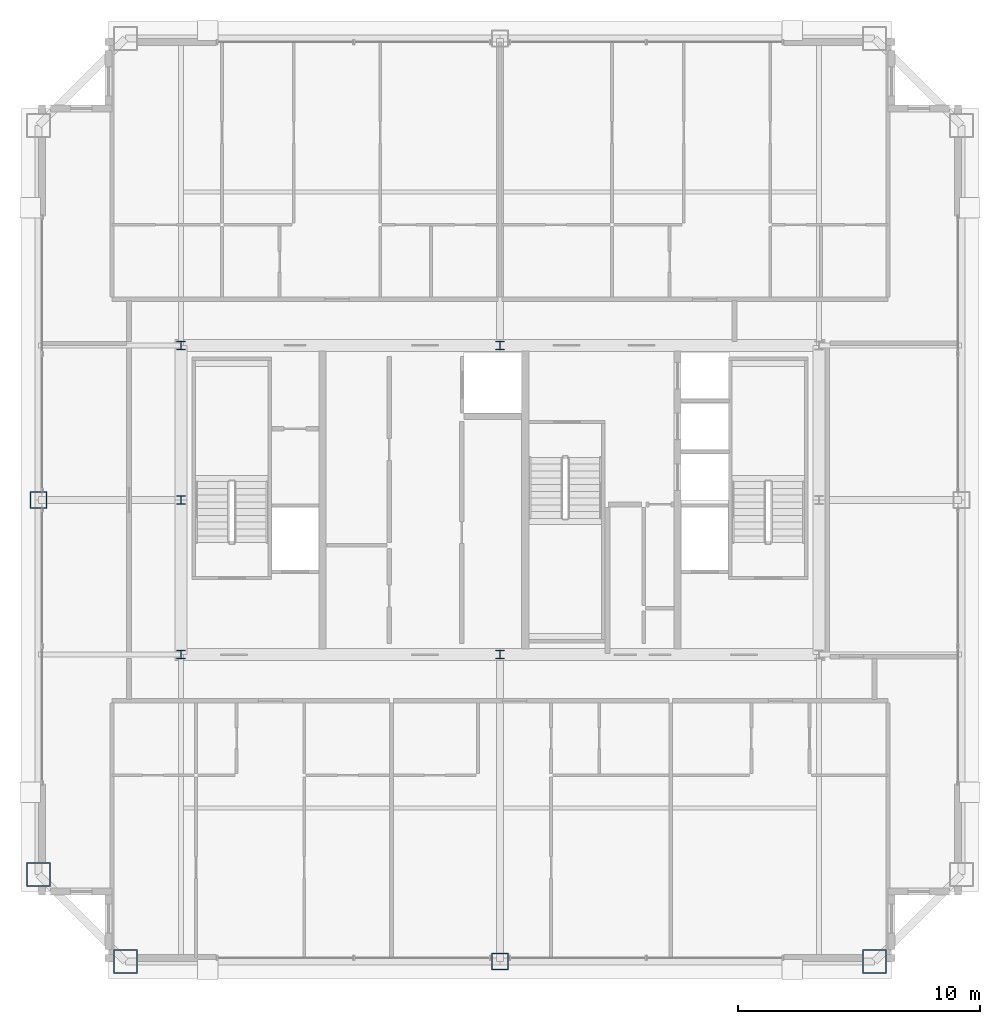
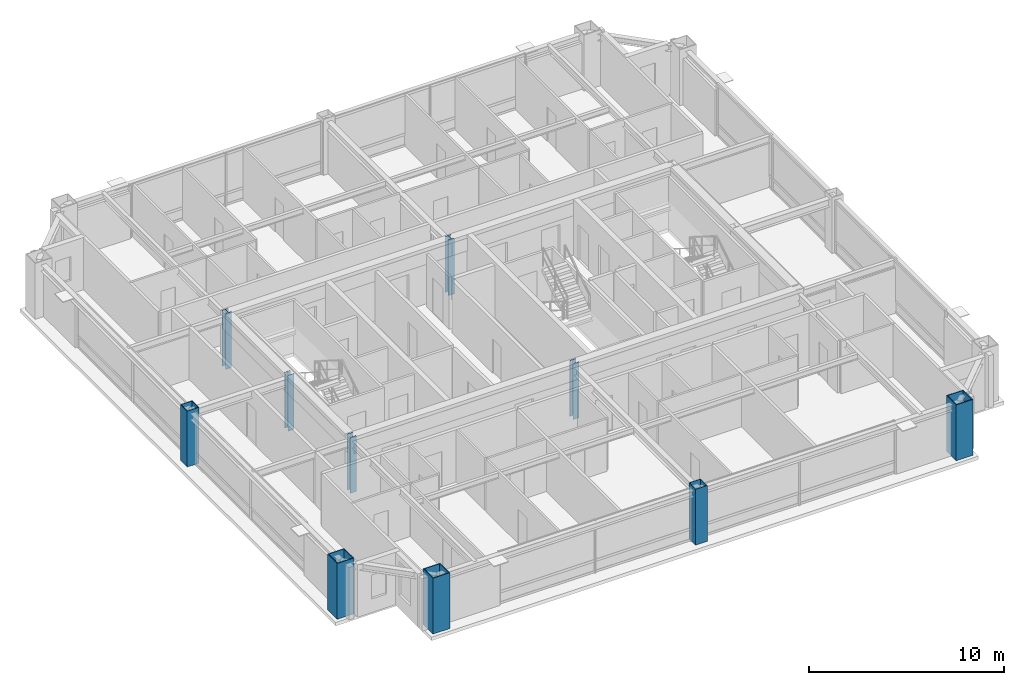
# One storey, part 1 of 35: 10 columns.
"""IFC4 building model written with IfcOpenShell, lengths in metres."""

import ifcopenshell
import ifcopenshell.guid

model = None  # the IFC model being written
_history = None  # IfcOwnerHistory: only IFC2X3 demands one
_inside = {}  # id of a spatial element -> (the spatial element, [elements in it])
_under = {}  # id of a project, library or spatial element -> (it, [spatial elements below it])
_declared = {}  # id of a project -> (the project, [libraries it declares])
_typed = {}  # id of a type object -> (the type object, [elements of that type])
_made_of = {}  # id of a material, layer set ... -> (it, [elements and type objects made of it])


def new_model(schema):
    """Start an empty IFC model of exactly this schema.

    Asked for "IFC4X3", IfcOpenShell would pick the latest addendum, in which some entities
    have other attributes; the version numbers below select the first issue.
    IFC2X3 requires an IfcOwnerHistory on every rooted entity: one is made here for all.
    """
    global model, _history
    if schema == "IFC4X3":
        model = ifcopenshell.file(schema_version=(4, 3, 0, 0))
    else:
        model = ifcopenshell.file(schema=schema)
    _inside.clear()
    _under.clear()
    _declared.clear()
    _typed.clear()
    _made_of.clear()
    _history = None
    if model.schema == "IFC2X3":
        org = make("IfcOrganization", Name="unknown")
        user = make(
            "IfcPersonAndOrganization",
            ThePerson=make("IfcPerson", FamilyName="unknown"),
            TheOrganization=org,
        )
        app = make(
            "IfcApplication",
            ApplicationDeveloper=org,
            Version="unknown",
            ApplicationFullName="unknown",
            ApplicationIdentifier="unknown",
        )
        _history = make(
            "IfcOwnerHistory",
            OwningUser=user,
            OwningApplication=app,
            ChangeAction="ADDED",
            CreationDate=0,
        )
    return model


def make(cls, **values):
    """One entity of the class cls with the attributes given. An attribute that is None is left unset."""
    return model.create_entity(
        cls, **{name: value for name, value in values.items() if value is not None}
    )


def rooted(cls, **values):
    """An entity with a GlobalId (a new one), such as an element, a storey or a relation."""
    return make(cls, GlobalId=ifcopenshell.guid.new(), OwnerHistory=_history, **values)


def si_unit(unit_type, name, prefix=None):
    """IfcSIUnit, for example si_unit("LENGTHUNIT", "METRE", prefix="MILLI")."""
    return make("IfcSIUnit", UnitType=unit_type, Prefix=prefix, Name=name)


def assignment(units):
    """IfcUnitAssignment: the units of a project."""
    return None if units is None else make("IfcUnitAssignment", Units=units)


def point(xyz):
    """IfcCartesianPoint."""
    return None if xyz is None else make("IfcCartesianPoint", Coordinates=xyz)


def direction(xyz):
    """IfcDirection."""
    return None if xyz is None else make("IfcDirection", DirectionRatios=xyz)


def frame(location, z_axis=None, x_axis=None):
    """IfcAxis2Placement3D, a coordinate frame: its origin and axes. An axis left out is left unset."""
    return make(
        "IfcAxis2Placement3D",
        Location=point(location),
        Axis=direction(z_axis),
        RefDirection=direction(x_axis),
    )


def frame_2d(location, x_axis=None):
    """IfcAxis2Placement2D, a coordinate frame in the plane: its origin and x axis."""
    return make(
        "IfcAxis2Placement2D", Location=point(location), RefDirection=direction(x_axis)
    )


def origin():
    """The frame at (0, 0, 0) with its axes left unset."""
    return frame((0.0, 0.0, 0.0))


def origin_2d():
    """The frame at (0, 0) in the plane with its x axis left unset."""
    return frame_2d((0.0, 0.0))


def place(relative_to, where):
    """IfcLocalPlacement: puts the frame where relative to a parent placement (None: the world)."""
    return make(
        "IfcLocalPlacement", PlacementRelTo=relative_to, RelativePlacement=where
    )


def context(
    kind, dimensions, precision=None, world=None, true_north=None, identifier=None
):
    """IfcGeometricRepresentationContext, for example the 3D "Model" context."""
    return make(
        "IfcGeometricRepresentationContext",
        ContextIdentifier=identifier,
        ContextType=kind,
        CoordinateSpaceDimension=dimensions,
        Precision=precision,
        WorldCoordinateSystem=world,
        TrueNorth=true_north,
    )


def subcontext(parent, identifier, kind, view, scale=None):
    """IfcGeometricRepresentationSubContext, for example "Body" below "Model"."""
    return make(
        "IfcGeometricRepresentationSubContext",
        ContextIdentifier=identifier,
        ContextType=kind,
        ParentContext=parent,
        TargetScale=scale,
        TargetView=view,
    )


def project(units=None, contexts=None):
    """IfcProject with its units and contexts."""
    return rooted(
        "IfcProject",
        Name="project",
        RepresentationContexts=contexts,
        UnitsInContext=assignment(units),
    )


def spatial(cls, under=None, at=None, **own):
    """A site, building, storey or space (cls), placed at a placement, below another one or the project."""
    s = rooted(cls, ObjectPlacement=at, **own)
    if under is not None:
        _under.setdefault(under.id(), (under, []))[1].append(s)
    return s


def profile(cls, at=None, kind="AREA", **sizes):
    """A parametric profile (cls). Its sizes go by their IFC names, for example OverallWidth=200.0."""
    return make(cls, ProfileType=kind, Position=at, **sizes)


def hollow_rectangle(**sizes):
    """IfcRectangleHollowProfileDef."""
    return profile("IfcRectangleHollowProfileDef", **sizes)


def i_section(**sizes):
    """IfcIShapeProfileDef."""
    return profile("IfcIShapeProfileDef", **sizes)


def extrude(swept, where, along, depth):
    """IfcExtrudedAreaSolid: the profile swept, set in the frame where, extruded along a direction by depth."""
    return make(
        "IfcExtrudedAreaSolid",
        SweptArea=swept,
        Position=where,
        ExtrudedDirection=direction(along),
        Depth=depth,
    )


def shape(context_of_items, identifier, shape_type, items):
    """IfcShapeRepresentation: the items that make up one representation, for example the "Body"."""
    return make(
        "IfcShapeRepresentation",
        ContextOfItems=context_of_items,
        RepresentationIdentifier=identifier,
        RepresentationType=shape_type,
        Items=items,
    )


def source(mapping_origin, context_of_items, identifier, shape_type, items):
    """IfcRepresentationMap: a shape defined once, which mapped items show again and again."""
    return make(
        "IfcRepresentationMap",
        MappingOrigin=mapping_origin,
        MappedRepresentation=shape(context_of_items, identifier, shape_type, items),
    )


def transform(
    local_origin,
    x_axis=None,
    y_axis=None,
    z_axis=None,
    scale=None,
    scale2=None,
    scale3=None,
    uniform=True,
):
    """IfcCartesianTransformationOperator3D, or its non-uniform kind. x_axis, y_axis, z_axis: its Axis1, 2, 3."""
    if uniform:
        return make(
            "IfcCartesianTransformationOperator3D",
            Axis1=direction(x_axis),
            Axis2=direction(y_axis),
            LocalOrigin=point(local_origin),
            Scale=scale,
            Axis3=direction(z_axis),
        )
    return make(
        "IfcCartesianTransformationOperator3DnonUniform",
        Axis1=direction(x_axis),
        Axis2=direction(y_axis),
        LocalOrigin=point(local_origin),
        Scale=scale,
        Axis3=direction(z_axis),
        Scale2=scale2,
        Scale3=scale3,
    )


def mapped(mapping_source, mapping_target):
    """IfcMappedItem: shows the shape of a source again, moved by a transform."""
    return make(
        "IfcMappedItem", MappingSource=mapping_source, MappingTarget=mapping_target
    )


def material(Name=None, Category=None):
    """IfcMaterial."""
    return make("IfcMaterial", Name=Name, Category=Category)


def material_profile(
    of_material, cross_section, Name=None, Category=None, Priority=None
):
    """IfcMaterialProfile: a cross section and its material."""
    return make(
        "IfcMaterialProfile",
        Name=Name,
        Material=of_material,
        Profile=cross_section,
        Priority=Priority,
        Category=Category,
    )


def profile_set(profiles, Name=None, composite=None):
    """IfcMaterialProfileSet."""
    return make(
        "IfcMaterialProfileSet",
        Name=Name,
        MaterialProfiles=profiles,
        CompositeProfile=composite,
    )


def made_of(thing, what):
    """Note that an element or type object is made of a material, layer set ...; save() writes the relation."""
    if what is not None:
        _made_of.setdefault(what.id(), (what, []))[1].append(thing)
    return thing


def type_object(cls, material=None, **own):
    """A type object (cls), such as IfcWallType, which elements share."""
    return made_of(rooted(cls, **own), material)


def element(
    cls,
    number,
    at=None,
    inside=None,
    cuts=None,
    type_object=None,
    material=None,
    context=None,
    identifier="Body",
    shape_type=None,
    held_by="IfcProductDefinitionShape",
    body=None,
    shapes=None,
    **own,
):
    """One element of the class cls, such as IfcWall. Its Tag is "e" and its number.

    at: its placement. inside: the storey or other place that contains it. cuts: it is an
    opening in that element (IfcRelVoidsElement). A single representation is given by context,
    identifier, shape_type and body (its items); several are given by shapes. held_by: the class
    of the entity that holds the representations. save() writes the other relations.
    """
    e = rooted(cls, Tag="e%d" % number, ObjectPlacement=at, **own)
    if body is not None:
        shapes = [shape(context, identifier, shape_type, body)]
    if shapes is not None:
        e.Representation = make(held_by, Representations=shapes)
    if inside is not None:
        _inside.setdefault(inside.id(), (inside, []))[1].append(e)
    if cuts is not None:
        rooted(
            "IfcRelVoidsElement", RelatingBuildingElement=cuts, RelatedOpeningElement=e
        )
    if type_object is not None:
        _typed.setdefault(type_object.id(), (type_object, []))[1].append(e)
    return made_of(e, material)


def aggregate(whole, parts):
    """IfcRelAggregates: a whole, such as a stair, and the parts it consists of."""
    return rooted("IfcRelAggregates", RelatingObject=whole, RelatedObjects=parts)


def save(model, path):
    """Write the relations noted so far, then the file.

    IfcRelAggregates (storeys below a building ...), IfcRelContainedInSpatialStructure (elements
    in a storey), IfcRelDefinesByType, IfcRelAssociatesMaterial and IfcRelDeclares: one each for
    every whole, place, type object, material and project.
    """
    for whole, parts in _under.values():
        aggregate(whole, parts)
    for where, things in _inside.values():
        rooted(
            "IfcRelContainedInSpatialStructure",
            RelatedElements=things,
            RelatingStructure=where,
        )
    for kind, things in _typed.values():
        rooted("IfcRelDefinesByType", RelatedObjects=things, RelatingType=kind)
    for what, things in _made_of.values():
        rooted("IfcRelAssociatesMaterial", RelatedObjects=things, RelatingMaterial=what)
    for by, libraries in _declared.values():
        rooted("IfcRelDeclares", RelatingContext=by, RelatedDefinitions=libraries)
    model.write(path)


model = new_model("IFC4")

# Units and contexts
model_context = context("Model", 3, precision=1e-05, world=origin(), true_north=direction((0.0, 1.0)))
body_context = subcontext(model_context, "Body", "Model", "MODEL_VIEW")
ifc_project = project(units=[si_unit("LENGTHUNIT", "METRE"), si_unit("AREAUNIT", "SQUARE_METRE"), si_unit("VOLUMEUNIT", "CUBIC_METRE"), si_unit("PLANEANGLEUNIT", "RADIAN"), si_unit("MASSUNIT", "GRAM", prefix="KILO"), si_unit("THERMODYNAMICTEMPERATUREUNIT", "KELVIN"), si_unit("POWERUNIT", "WATT")], contexts=[model_context])

# Site, building, storey
site_placement = place(None, origin())
site = spatial("IfcSite", under=ifc_project, at=site_placement, CompositionType="ELEMENT")
building_placement = place(site_placement, origin())
building = spatial("IfcBuilding", under=site, at=building_placement, Name="Yuzanri Waterfront Tower", CompositionType="ELEMENT")
storey_placement = place(building_placement, frame((0.0, 0.0, 332.199951171875)))
storey = spatial("IfcBuildingStorey", under=building, at=storey_placement, Name="L89", CompositionType="ELEMENT", Elevation=332.199951171875)

# Columns
ifc_material_1 = material(Name="Steel Q355B", Category="steel")
ifc_material_profile_1 = material_profile(ifc_material_1, hollow_rectangle(XDim=0.699951171875, YDim=0.699951171875, WallThickness=0.031982421875, at=origin_2d()), Name="RHS 700x700x32")
ifc_profile_set_1 = profile_set([ifc_material_profile_1], Name="Steel Q355B")
column_type_1 = type_object("IfcColumnType", Name="Frame Column Q355B RHS 700x700x32", PredefinedType="COLUMN", material=ifc_profile_set_1)
shared_shape_1 = source(origin(), body_context, "Body", "SweptSolid", [
    extrude(hollow_rectangle(XDim=0.699951171875, YDim=0.699951171875, WallThickness=0.031982421875, at=origin_2d()), origin(), (0.0, 0.0, 1.0), 3.5),
])
for number, where, z_axis, x_axis, name in (
    (1, (37.0, 6.699951171875, 0.0), (0.0, 0.0, 1.0), (1.0, 0.0, 0.0), "L89 Perimeter Frame Column S2"),
    (2, (17.89990234375, 25.800048828125, 0.0), (0.0, 0.0, 1.0), (1.0, 0.0, 0.0), "L89 Perimeter Frame Column W2"),
):
    element("IfcColumn", number, at=place(storey_placement, frame(where, z_axis=z_axis, x_axis=x_axis)), inside=storey, type_object=column_type_1, Name=name, PredefinedType="COLUMN", context=body_context, shape_type="MappedRepresentation", body=[
        mapped(shared_shape_1, transform((0.0, 0.0, 0.0), scale=1.0)),
    ])
ifc_material_2 = material(Name="Steel Q355B", Category="steel")
ifc_material_profile_2 = material_profile(ifc_material_2, i_section(OverallWidth=0.35009765625, OverallDepth=0.35009765625, WebThickness=0.011962890625, FlangeThickness=0.01904296875, at=origin_2d()), Name="HW 350x350x12x19")
ifc_profile_set_2 = profile_set([ifc_material_profile_2], Name="Steel Q355B")
column_type_2 = type_object("IfcColumnType", Name="Core Post Q355B HW 350x350x12x19", PredefinedType="COLUMN", material=ifc_profile_set_2)
shared_shape_2 = source(origin(), body_context, "Body", "SweptSolid", [
    extrude(i_section(OverallWidth=0.35009765625, OverallDepth=0.35009765625, WebThickness=0.011962890625, FlangeThickness=0.01904296875, at=origin_2d()), origin(), (0.0, 0.0, 1.0), 3.5),
])
for number, where, z_axis, x_axis, name in (
    (3, (23.800048828125, 19.39990234375, 0.0), (0.0, 0.0, 1.0), (1.0, 0.0, 0.0), "L89 Core Boundary Column CP1"),
    (4, (37.0, 19.39990234375, 0.0), (0.0, 0.0, 1.0), (1.0, 0.0, 0.0), "L89 Core Boundary Column CP2"),
    (5, (23.800048828125, 25.800048828125, 0.0), (0.0, 0.0, 1.0), (1.0, 0.0, 0.0), "L89 Core Boundary Column CP4"),
    (6, (23.800048828125, 32.199951171875, 0.0), (0.0, 0.0, 1.0), (1.0, 0.0, 0.0), "L89 Core Boundary Column CP6"),
    (7, (37.0, 32.199951171875, 0.0), (0.0, 0.0, 1.0), (1.0, 0.0, 0.0), "L89 Core Boundary Column CP7"),
):
    element("IfcColumn", number, at=place(storey_placement, frame(where, z_axis=z_axis, x_axis=x_axis)), inside=storey, type_object=column_type_2, Name=name, PredefinedType="COLUMN", context=body_context, shape_type="MappedRepresentation", body=[
        mapped(shared_shape_2, transform((0.0, 0.0, 0.0), scale=1.0)),
    ])
ifc_material_3 = material(Name="Steel Q390GJC", Category="steel")
ifc_material_profile_3 = material_profile(ifc_material_3, hollow_rectangle(XDim=1.0, YDim=1.0, WallThickness=0.048095703125, at=origin_2d()), Name="RHS 1000x1000x48")
ifc_profile_set_3 = profile_set([ifc_material_profile_3], Name="Steel Q390GJC")
column_type_3 = type_object("IfcColumnType", Name="Mega Column Q390GJC RHS 1000x1000x48", PredefinedType="COLUMN", material=ifc_profile_set_3)
shared_shape_3 = source(origin(), body_context, "Body", "SweptSolid", [
    extrude(hollow_rectangle(XDim=1.0, YDim=1.0, WallThickness=0.048095703125, at=origin_2d()), origin(), (0.0, 0.0, 1.0), 3.5),
])
for number, where, z_axis, x_axis, name in (
    (8, (21.5, 6.699951171875, 0.0), (0.0, 0.0, 1.0), (1.0, 0.0, 0.0), "L89 Perimeter Mega Column S1"),
    (9, (52.5, 6.699951171875, 0.0), (0.0, 0.0, 1.0), (1.0, 0.0, 0.0), "L89 Perimeter Mega Column S3"),
    (10, (17.89990234375, 10.300048828125, 0.0), (0.0, 0.0, 1.0), (1.0, 0.0, 0.0), "L89 Perimeter Mega Column W1"),
):
    element("IfcColumn", number, at=place(storey_placement, frame(where, z_axis=z_axis, x_axis=x_axis)), inside=storey, type_object=column_type_3, Name=name, PredefinedType="COLUMN", context=body_context, shape_type="MappedRepresentation", body=[
        mapped(shared_shape_3, transform((0.0, 0.0, 0.0), scale=1.0)),
    ])

save(model, "model.ifc")
